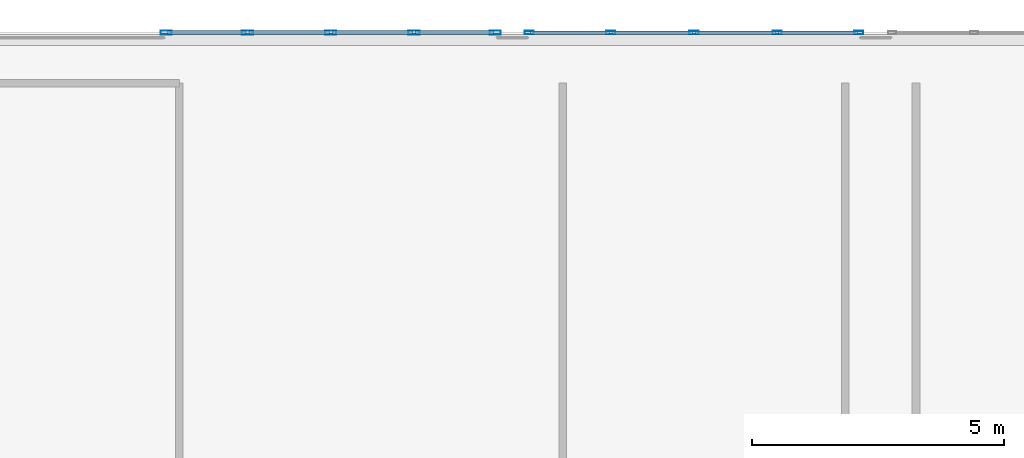
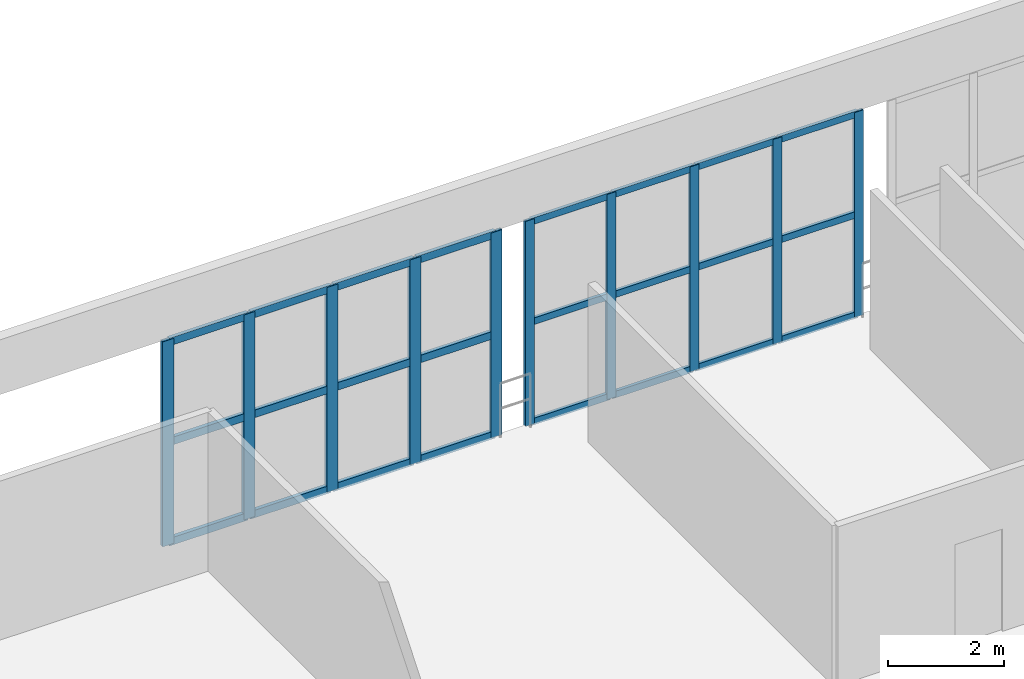
# One storey, part 31 of 64: 34 members, 2 elements without a shape of their own.
"""IFC4 building model written with IfcOpenShell, lengths in metres."""

from ifc_helpers import new_model, si_unit, direction, frame, origin, origin_2d, place, context, subcontext, project, spatial, hollow_rectangle, extrude, material, material_profile, profile_set, type_object, element, aggregate, save


model = new_model("IFC4")

# Units and contexts
model_context = context("Model", 3, precision=1e-05, world=origin(), true_north=direction((0.0, 1.0)))
body_context = subcontext(model_context, "Body", "Model", "MODEL_VIEW")
ifc_project = project(units=[si_unit("LENGTHUNIT", "METRE"), si_unit("AREAUNIT", "SQUARE_METRE"), si_unit("VOLUMEUNIT", "CUBIC_METRE"), si_unit("PLANEANGLEUNIT", "RADIAN"), si_unit("MASSUNIT", "GRAM", prefix="KILO")], contexts=[model_context])

# Site, building, storey
site_placement = place(None, origin())
site = spatial("IfcSite", under=ifc_project, at=site_placement, CompositionType="ELEMENT")
building_placement = place(site_placement, origin())
building = spatial("IfcBuilding", under=site, at=building_placement, Name="Qandorah Velis Arena", CompositionType="ELEMENT")
storey_placement = place(building_placement, frame((0.0, 0.0, 23.0)))
storey = spatial("IfcBuildingStorey", under=building, at=storey_placement, Name="L05", CompositionType="ELEMENT", Elevation=23.0)

# Curtain wall, members
ifc_material_1 = material(Name="Solar-control low-E double glazing", Category="glass")
curtain_wall_type_1 = type_object("IfcCurtainWallType", Name="ARC-CW-SYS02", PredefinedType="USERDEFINED", material=ifc_material_1)
curtain_wall_1_placement = place(storey_placement, origin())
curtain_wall_1 = element("IfcCurtainWall", 1, at=curtain_wall_1_placement, inside=storey, type_object=curtain_wall_type_1, Name="Unitised curtain wall L05-098", ObjectType="UNITISED CURTAIN WALL", PredefinedType="USERDEFINED")
ifc_material_2 = material(Name="Champagne-bronze anodized aluminium 6063-T6", Category="aluminium")
ifc_material_profile_1 = material_profile(ifc_material_2, hollow_rectangle(XDim=0.06494140625, YDim=0.179931640625, WallThickness=0.00341796875, at=origin_2d()), Name="ALU MULLION 65x180")
ifc_profile_set_1 = profile_set([ifc_material_profile_1], Name="Champagne-bronze anodized aluminium 6063-T6")
member_type_1 = type_object("IfcMemberType", Name="ARC-CWM-180", PredefinedType="MULLION", material=ifc_profile_set_1)
member_1_placement = place(storey_placement, frame((14.732421875, 129.60009765625, -0.014892578125), z_axis=(0.0, 0.0, 1.0), x_axis=(0.0, 1.0, 0.0)))
member_1 = element("IfcMember", 2, at=member_1_placement, type_object=member_type_1, Name="CW02 mullion 1", PredefinedType="MULLION", context=body_context, shape_type="SweptSolid", body=[
    extrude(hollow_rectangle(XDim=0.06494140625, YDim=0.179931640625, WallThickness=0.00341796875, at=origin_2d()), origin(), (0.0, 0.0, 1.0), 4.309814453125),
])
member_2_placement = place(storey_placement, frame((16.35009765625, 129.60009765625, -0.014892578125), z_axis=(0.0, 0.0, 1.0), x_axis=(0.0, 1.0, 0.0)))
member_2 = element("IfcMember", 3, at=member_2_placement, type_object=member_type_1, Name="CW02 mullion 2", PredefinedType="MULLION", context=body_context, shape_type="SweptSolid", body=[
    extrude(hollow_rectangle(XDim=0.06494140625, YDim=0.179931640625, WallThickness=0.00341796875, at=origin_2d()), origin(), (0.0, 0.0, 1.0), 4.309814453125),
])
member_3_placement = place(storey_placement, frame((18.0, 129.60009765625, -0.014892578125), z_axis=(0.0, 0.0, 1.0), x_axis=(0.0, 1.0, 0.0)))
member_3 = element("IfcMember", 4, at=member_3_placement, type_object=member_type_1, Name="CW02 mullion 3", PredefinedType="MULLION", context=body_context, shape_type="SweptSolid", body=[
    extrude(hollow_rectangle(XDim=0.06494140625, YDim=0.179931640625, WallThickness=0.00341796875, at=origin_2d()), origin(), (0.0, 0.0, 1.0), 4.309814453125),
])
member_4_placement = place(storey_placement, frame((19.64990234375, 129.60009765625, -0.014892578125), z_axis=(0.0, 0.0, 1.0), x_axis=(0.0, 1.0, 0.0)))
member_4 = element("IfcMember", 5, at=member_4_placement, type_object=member_type_1, Name="CW02 mullion 4", PredefinedType="MULLION", context=body_context, shape_type="SweptSolid", body=[
    extrude(hollow_rectangle(XDim=0.06494140625, YDim=0.179931640625, WallThickness=0.00341796875, at=origin_2d()), origin(), (0.0, 0.0, 1.0), 4.309814453125),
])
member_5_placement = place(storey_placement, frame((21.267578125, 129.60009765625, -0.014892578125), z_axis=(0.0, 0.0, 1.0), x_axis=(0.0, 1.0, 0.0)))
member_5 = element("IfcMember", 6, at=member_5_placement, type_object=member_type_1, Name="CW02 mullion 5", PredefinedType="MULLION", context=body_context, shape_type="SweptSolid", body=[
    extrude(hollow_rectangle(XDim=0.06494140625, YDim=0.179931640625, WallThickness=0.00341796875, at=origin_2d()), origin(), (0.0, 0.0, 1.0), 4.309814453125),
])

curtain_wall_type_2 = type_object("IfcCurtainWallType", Name="ARC-CW-SYS01", PredefinedType="USERDEFINED", material=ifc_material_1)
curtain_wall_2_placement = place(storey_placement, origin())
curtain_wall_2 = element("IfcCurtainWall", 7, at=curtain_wall_2_placement, inside=storey, type_object=curtain_wall_type_2, Name="Unitised curtain wall L05-097", ObjectType="UNITISED CURTAIN WALL", PredefinedType="USERDEFINED")
ifc_material_profile_2 = material_profile(ifc_material_2, hollow_rectangle(XDim=0.074951171875, YDim=0.219970703125, WallThickness=0.00390625, at=origin_2d()), Name="ALU MULLION 75x220")
ifc_profile_set_2 = profile_set([ifc_material_profile_2], Name="Champagne-bronze anodized aluminium 6063-T6")
member_type_2 = type_object("IfcMemberType", Name="ARC-CWM-220", PredefinedType="MULLION", material=ifc_profile_set_2)
member_6_placement = place(storey_placement, frame((7.53759765625, 129.60009765625, -0.014892578125), z_axis=(0.0, 0.0, 1.0), x_axis=(0.0, 1.0, 0.0)))
member_6 = element("IfcMember", 8, at=member_6_placement, type_object=member_type_2, Name="CW01 mullion 1", PredefinedType="MULLION", context=body_context, shape_type="SweptSolid", body=[
    extrude(hollow_rectangle(XDim=0.074951171875, YDim=0.219970703125, WallThickness=0.00390625, at=origin_2d()), origin(), (0.0, 0.0, 1.0), 4.309814453125),
])
member_7_placement = place(storey_placement, frame((9.14990234375, 129.60009765625, -0.014892578125), z_axis=(0.0, 0.0, 1.0), x_axis=(0.0, 1.0, 0.0)))
member_7 = element("IfcMember", 9, at=member_7_placement, type_object=member_type_2, Name="CW01 mullion 2", PredefinedType="MULLION", context=body_context, shape_type="SweptSolid", body=[
    extrude(hollow_rectangle(XDim=0.074951171875, YDim=0.219970703125, WallThickness=0.00390625, at=origin_2d()), origin(), (0.0, 0.0, 1.0), 4.309814453125),
])
member_8_placement = place(storey_placement, frame((10.800048828125, 129.60009765625, -0.014892578125), z_axis=(0.0, 0.0, 1.0), x_axis=(0.0, 1.0, 0.0)))
member_8 = element("IfcMember", 10, at=member_8_placement, type_object=member_type_2, Name="CW01 mullion 3", PredefinedType="MULLION", context=body_context, shape_type="SweptSolid", body=[
    extrude(hollow_rectangle(XDim=0.074951171875, YDim=0.219970703125, WallThickness=0.00390625, at=origin_2d()), origin(), (0.0, 0.0, 1.0), 4.309814453125),
])
member_9_placement = place(storey_placement, frame((12.449951171875, 129.60009765625, -0.014892578125), z_axis=(0.0, 0.0, 1.0), x_axis=(0.0, 1.0, 0.0)))
member_9 = element("IfcMember", 11, at=member_9_placement, type_object=member_type_2, Name="CW01 mullion 4", PredefinedType="MULLION", context=body_context, shape_type="SweptSolid", body=[
    extrude(hollow_rectangle(XDim=0.074951171875, YDim=0.219970703125, WallThickness=0.00390625, at=origin_2d()), origin(), (0.0, 0.0, 1.0), 4.309814453125),
])
member_10_placement = place(storey_placement, frame((14.0625, 129.60009765625, -0.014892578125), z_axis=(0.0, 0.0, 1.0), x_axis=(0.0, 1.0, 0.0)))
member_10 = element("IfcMember", 12, at=member_10_placement, type_object=member_type_2, Name="CW01 mullion 5", PredefinedType="MULLION", context=body_context, shape_type="SweptSolid", body=[
    extrude(hollow_rectangle(XDim=0.074951171875, YDim=0.219970703125, WallThickness=0.00390625, at=origin_2d()), origin(), (0.0, 0.0, 1.0), 4.309814453125),
])

# Member
ifc_material_profile_3 = material_profile(ifc_material_2, hollow_rectangle(XDim=0.06494140625, YDim=0.139892578125, WallThickness=0.0029296875, at=origin_2d()), Name="ALU TRANSOM 65x140")
ifc_profile_set_3 = profile_set([ifc_material_profile_3], Name="Champagne-bronze anodized aluminium 6063-T6")
member_type_3 = type_object("IfcMemberType", Name="ARC-CWT-140", PredefinedType="USERDEFINED", material=ifc_profile_set_3)
member_11_placement = place(storey_placement, frame((14.7529296875, 129.60009765625, 0.032470703125), z_axis=(1.0, 0.0, 0.0), x_axis=(0.0, 1.0, 0.0)))
member_11 = element("IfcMember", 13, at=member_11_placement, type_object=member_type_3, Name="CW02 transom 1.1", ObjectType="TRANSOM", PredefinedType="USERDEFINED", context=body_context, shape_type="SweptSolid", body=[
    extrude(hollow_rectangle(XDim=0.06494140625, YDim=0.139892578125, WallThickness=0.0029296875, at=origin_2d()), origin(), (0.0, 0.0, 1.0), 1.57666015625),
])

member_12_placement = place(storey_placement, frame((14.7529296875, 129.60009765625, 2.139892578125), z_axis=(1.0, 0.0, 0.0), x_axis=(0.0, 1.0, 0.0)))
member_12 = element("IfcMember", 14, at=member_12_placement, type_object=member_type_3, Name="CW02 transom 1.2", ObjectType="TRANSOM", PredefinedType="USERDEFINED", context=body_context, shape_type="SweptSolid", body=[
    extrude(hollow_rectangle(XDim=0.06494140625, YDim=0.139892578125, WallThickness=0.0029296875, at=origin_2d()), origin(), (0.0, 0.0, 1.0), 1.57666015625),
])

member_13_placement = place(storey_placement, frame((14.7529296875, 129.60009765625, 4.24755859375), z_axis=(1.0, 0.0, 0.0), x_axis=(0.0, 1.0, 0.0)))
member_13 = element("IfcMember", 15, at=member_13_placement, type_object=member_type_3, Name="CW02 transom 1.3", ObjectType="TRANSOM", PredefinedType="USERDEFINED", context=body_context, shape_type="SweptSolid", body=[
    extrude(hollow_rectangle(XDim=0.06494140625, YDim=0.139892578125, WallThickness=0.0029296875, at=origin_2d()), origin(), (0.0, 0.0, 1.0), 1.57666015625),
])

member_14_placement = place(storey_placement, frame((16.37060546875, 129.60009765625, 0.032470703125), z_axis=(1.0, 0.0, 0.0), x_axis=(0.0, 1.0, 0.0)))
member_14 = element("IfcMember", 16, at=member_14_placement, type_object=member_type_3, Name="CW02 transom 2.1", ObjectType="TRANSOM", PredefinedType="USERDEFINED", context=body_context, shape_type="SweptSolid", body=[
    extrude(hollow_rectangle(XDim=0.06494140625, YDim=0.139892578125, WallThickness=0.0029296875, at=origin_2d()), origin(), (0.0, 0.0, 1.0), 1.60888671875),
])

member_15_placement = place(storey_placement, frame((16.37060546875, 129.60009765625, 2.139892578125), z_axis=(1.0, 0.0, 0.0), x_axis=(0.0, 1.0, 0.0)))
member_15 = element("IfcMember", 17, at=member_15_placement, type_object=member_type_3, Name="CW02 transom 2.2", ObjectType="TRANSOM", PredefinedType="USERDEFINED", context=body_context, shape_type="SweptSolid", body=[
    extrude(hollow_rectangle(XDim=0.06494140625, YDim=0.139892578125, WallThickness=0.0029296875, at=origin_2d()), origin(), (0.0, 0.0, 1.0), 1.60888671875),
])

member_16_placement = place(storey_placement, frame((16.37060546875, 129.60009765625, 4.24755859375), z_axis=(1.0, 0.0, 0.0), x_axis=(0.0, 1.0, 0.0)))
member_16 = element("IfcMember", 18, at=member_16_placement, type_object=member_type_3, Name="CW02 transom 2.3", ObjectType="TRANSOM", PredefinedType="USERDEFINED", context=body_context, shape_type="SweptSolid", body=[
    extrude(hollow_rectangle(XDim=0.06494140625, YDim=0.139892578125, WallThickness=0.0029296875, at=origin_2d()), origin(), (0.0, 0.0, 1.0), 1.60888671875),
])

member_17_placement = place(storey_placement, frame((18.0205078125, 129.60009765625, 0.032470703125), z_axis=(1.0, 0.0, 0.0), x_axis=(0.0, 1.0, 0.0)))
member_17 = element("IfcMember", 19, at=member_17_placement, type_object=member_type_3, Name="CW02 transom 3.1", ObjectType="TRANSOM", PredefinedType="USERDEFINED", context=body_context, shape_type="SweptSolid", body=[
    extrude(hollow_rectangle(XDim=0.06494140625, YDim=0.139892578125, WallThickness=0.0029296875, at=origin_2d()), origin(), (0.0, 0.0, 1.0), 1.60888671875),
])

member_18_placement = place(storey_placement, frame((18.0205078125, 129.60009765625, 2.139892578125), z_axis=(1.0, 0.0, 0.0), x_axis=(0.0, 1.0, 0.0)))
member_18 = element("IfcMember", 20, at=member_18_placement, type_object=member_type_3, Name="CW02 transom 3.2", ObjectType="TRANSOM", PredefinedType="USERDEFINED", context=body_context, shape_type="SweptSolid", body=[
    extrude(hollow_rectangle(XDim=0.06494140625, YDim=0.139892578125, WallThickness=0.0029296875, at=origin_2d()), origin(), (0.0, 0.0, 1.0), 1.60888671875),
])

member_19_placement = place(storey_placement, frame((18.0205078125, 129.60009765625, 4.24755859375), z_axis=(1.0, 0.0, 0.0), x_axis=(0.0, 1.0, 0.0)))
member_19 = element("IfcMember", 21, at=member_19_placement, type_object=member_type_3, Name="CW02 transom 3.3", ObjectType="TRANSOM", PredefinedType="USERDEFINED", context=body_context, shape_type="SweptSolid", body=[
    extrude(hollow_rectangle(XDim=0.06494140625, YDim=0.139892578125, WallThickness=0.0029296875, at=origin_2d()), origin(), (0.0, 0.0, 1.0), 1.60888671875),
])

member_20_placement = place(storey_placement, frame((19.67041015625, 129.60009765625, 0.032470703125), z_axis=(1.0, 0.0, 0.0), x_axis=(0.0, 1.0, 0.0)))
member_20 = element("IfcMember", 22, at=member_20_placement, type_object=member_type_3, Name="CW02 transom 4.1", ObjectType="TRANSOM", PredefinedType="USERDEFINED", context=body_context, shape_type="SweptSolid", body=[
    extrude(hollow_rectangle(XDim=0.06494140625, YDim=0.139892578125, WallThickness=0.0029296875, at=origin_2d()), origin(), (0.0, 0.0, 1.0), 1.57666015625),
])

member_21_placement = place(storey_placement, frame((19.67041015625, 129.60009765625, 2.139892578125), z_axis=(1.0, 0.0, 0.0), x_axis=(0.0, 1.0, 0.0)))
member_21 = element("IfcMember", 23, at=member_21_placement, type_object=member_type_3, Name="CW02 transom 4.2", ObjectType="TRANSOM", PredefinedType="USERDEFINED", context=body_context, shape_type="SweptSolid", body=[
    extrude(hollow_rectangle(XDim=0.06494140625, YDim=0.139892578125, WallThickness=0.0029296875, at=origin_2d()), origin(), (0.0, 0.0, 1.0), 1.57666015625),
])

member_22_placement = place(storey_placement, frame((19.67041015625, 129.60009765625, 4.24755859375), z_axis=(1.0, 0.0, 0.0), x_axis=(0.0, 1.0, 0.0)))
member_22 = element("IfcMember", 24, at=member_22_placement, type_object=member_type_3, Name="CW02 transom 4.3", ObjectType="TRANSOM", PredefinedType="USERDEFINED", context=body_context, shape_type="SweptSolid", body=[
    extrude(hollow_rectangle(XDim=0.06494140625, YDim=0.139892578125, WallThickness=0.0029296875, at=origin_2d()), origin(), (0.0, 0.0, 1.0), 1.57666015625),
])

aggregate(curtain_wall_1, [member_1, member_2, member_3, member_4, member_5, member_11, member_12, member_13, member_14, member_15, member_16, member_17, member_18, member_19, member_20, member_21, member_22])

ifc_material_profile_4 = material_profile(ifc_material_2, hollow_rectangle(XDim=0.074951171875, YDim=0.159912109375, WallThickness=0.00341796875, at=origin_2d()), Name="ALU TRANSOM 75x160")
ifc_profile_set_4 = profile_set([ifc_material_profile_4], Name="Champagne-bronze anodized aluminium 6063-T6")
member_type_4 = type_object("IfcMemberType", Name="ARC-CWT-160", PredefinedType="USERDEFINED", material=ifc_profile_set_4)
member_23_placement = place(storey_placement, frame((7.56298828125, 129.60009765625, 0.03759765625), z_axis=(1.0, 0.0, 0.0), x_axis=(0.0, 1.0, 0.0)))
member_23 = element("IfcMember", 25, at=member_23_placement, type_object=member_type_4, Name="CW01 transom 1.1", ObjectType="TRANSOM", PredefinedType="USERDEFINED", context=body_context, shape_type="SweptSolid", body=[
    extrude(hollow_rectangle(XDim=0.074951171875, YDim=0.159912109375, WallThickness=0.00341796875, at=origin_2d()), origin(), (0.0, 0.0, 1.0), 1.5615234375),
])

member_24_placement = place(storey_placement, frame((7.56298828125, 129.60009765625, 2.139892578125), z_axis=(1.0, 0.0, 0.0), x_axis=(0.0, 1.0, 0.0)))
member_24 = element("IfcMember", 26, at=member_24_placement, type_object=member_type_4, Name="CW01 transom 1.2", ObjectType="TRANSOM", PredefinedType="USERDEFINED", context=body_context, shape_type="SweptSolid", body=[
    extrude(hollow_rectangle(XDim=0.074951171875, YDim=0.159912109375, WallThickness=0.00341796875, at=origin_2d()), origin(), (0.0, 0.0, 1.0), 1.5615234375),
])

member_25_placement = place(storey_placement, frame((7.56298828125, 129.60009765625, 4.242431640625), z_axis=(1.0, 0.0, 0.0), x_axis=(0.0, 1.0, 0.0)))
member_25 = element("IfcMember", 27, at=member_25_placement, type_object=member_type_4, Name="CW01 transom 1.3", ObjectType="TRANSOM", PredefinedType="USERDEFINED", context=body_context, shape_type="SweptSolid", body=[
    extrude(hollow_rectangle(XDim=0.074951171875, YDim=0.159912109375, WallThickness=0.00341796875, at=origin_2d()), origin(), (0.0, 0.0, 1.0), 1.5615234375),
])

member_26_placement = place(storey_placement, frame((9.175537109375, 129.60009765625, 0.03759765625), z_axis=(1.0, 0.0, 0.0), x_axis=(0.0, 1.0, 0.0)))
member_26 = element("IfcMember", 28, at=member_26_placement, type_object=member_type_4, Name="CW01 transom 2.1", ObjectType="TRANSOM", PredefinedType="USERDEFINED", context=body_context, shape_type="SweptSolid", body=[
    extrude(hollow_rectangle(XDim=0.074951171875, YDim=0.159912109375, WallThickness=0.00341796875, at=origin_2d()), origin(), (0.0, 0.0, 1.0), 1.598876953125),
])

member_27_placement = place(storey_placement, frame((9.175537109375, 129.60009765625, 2.139892578125), z_axis=(1.0, 0.0, 0.0), x_axis=(0.0, 1.0, 0.0)))
member_27 = element("IfcMember", 29, at=member_27_placement, type_object=member_type_4, Name="CW01 transom 2.2", ObjectType="TRANSOM", PredefinedType="USERDEFINED", context=body_context, shape_type="SweptSolid", body=[
    extrude(hollow_rectangle(XDim=0.074951171875, YDim=0.159912109375, WallThickness=0.00341796875, at=origin_2d()), origin(), (0.0, 0.0, 1.0), 1.598876953125),
])

member_28_placement = place(storey_placement, frame((9.175537109375, 129.60009765625, 4.242431640625), z_axis=(1.0, 0.0, 0.0), x_axis=(0.0, 1.0, 0.0)))
member_28 = element("IfcMember", 30, at=member_28_placement, type_object=member_type_4, Name="CW01 transom 2.3", ObjectType="TRANSOM", PredefinedType="USERDEFINED", context=body_context, shape_type="SweptSolid", body=[
    extrude(hollow_rectangle(XDim=0.074951171875, YDim=0.159912109375, WallThickness=0.00341796875, at=origin_2d()), origin(), (0.0, 0.0, 1.0), 1.598876953125),
])

member_29_placement = place(storey_placement, frame((10.825439453125, 129.60009765625, 0.03759765625), z_axis=(1.0, 0.0, 0.0), x_axis=(0.0, 1.0, 0.0)))
member_29 = element("IfcMember", 31, at=member_29_placement, type_object=member_type_4, Name="CW01 transom 3.1", ObjectType="TRANSOM", PredefinedType="USERDEFINED", context=body_context, shape_type="SweptSolid", body=[
    extrude(hollow_rectangle(XDim=0.074951171875, YDim=0.159912109375, WallThickness=0.00341796875, at=origin_2d()), origin(), (0.0, 0.0, 1.0), 1.59912109375),
])

member_30_placement = place(storey_placement, frame((10.825439453125, 129.60009765625, 2.139892578125), z_axis=(1.0, 0.0, 0.0), x_axis=(0.0, 1.0, 0.0)))
member_30 = element("IfcMember", 32, at=member_30_placement, type_object=member_type_4, Name="CW01 transom 3.2", ObjectType="TRANSOM", PredefinedType="USERDEFINED", context=body_context, shape_type="SweptSolid", body=[
    extrude(hollow_rectangle(XDim=0.074951171875, YDim=0.159912109375, WallThickness=0.00341796875, at=origin_2d()), origin(), (0.0, 0.0, 1.0), 1.59912109375),
])

member_31_placement = place(storey_placement, frame((10.825439453125, 129.60009765625, 4.242431640625), z_axis=(1.0, 0.0, 0.0), x_axis=(0.0, 1.0, 0.0)))
member_31 = element("IfcMember", 33, at=member_31_placement, type_object=member_type_4, Name="CW01 transom 3.3", ObjectType="TRANSOM", PredefinedType="USERDEFINED", context=body_context, shape_type="SweptSolid", body=[
    extrude(hollow_rectangle(XDim=0.074951171875, YDim=0.159912109375, WallThickness=0.00341796875, at=origin_2d()), origin(), (0.0, 0.0, 1.0), 1.59912109375),
])

member_32_placement = place(storey_placement, frame((12.4755859375, 129.60009765625, 0.03759765625), z_axis=(1.0, 0.0, 0.0), x_axis=(0.0, 1.0, 0.0)))
member_32 = element("IfcMember", 34, at=member_32_placement, type_object=member_type_4, Name="CW01 transom 4.1", ObjectType="TRANSOM", PredefinedType="USERDEFINED", context=body_context, shape_type="SweptSolid", body=[
    extrude(hollow_rectangle(XDim=0.074951171875, YDim=0.159912109375, WallThickness=0.00341796875, at=origin_2d()), origin(), (0.0, 0.0, 1.0), 1.5615234375),
])

member_33_placement = place(storey_placement, frame((12.4755859375, 129.60009765625, 2.139892578125), z_axis=(1.0, 0.0, 0.0), x_axis=(0.0, 1.0, 0.0)))
member_33 = element("IfcMember", 35, at=member_33_placement, type_object=member_type_4, Name="CW01 transom 4.2", ObjectType="TRANSOM", PredefinedType="USERDEFINED", context=body_context, shape_type="SweptSolid", body=[
    extrude(hollow_rectangle(XDim=0.074951171875, YDim=0.159912109375, WallThickness=0.00341796875, at=origin_2d()), origin(), (0.0, 0.0, 1.0), 1.5615234375),
])

member_34_placement = place(storey_placement, frame((12.4755859375, 129.60009765625, 4.242431640625), z_axis=(1.0, 0.0, 0.0), x_axis=(0.0, 1.0, 0.0)))
member_34 = element("IfcMember", 36, at=member_34_placement, type_object=member_type_4, Name="CW01 transom 4.3", ObjectType="TRANSOM", PredefinedType="USERDEFINED", context=body_context, shape_type="SweptSolid", body=[
    extrude(hollow_rectangle(XDim=0.074951171875, YDim=0.159912109375, WallThickness=0.00341796875, at=origin_2d()), origin(), (0.0, 0.0, 1.0), 1.5615234375),
])

aggregate(curtain_wall_2, [member_6, member_7, member_8, member_9, member_10, member_23, member_24, member_25, member_26, member_27, member_28, member_29, member_30, member_31, member_32, member_33, member_34])

save(model, "model.ifc")
